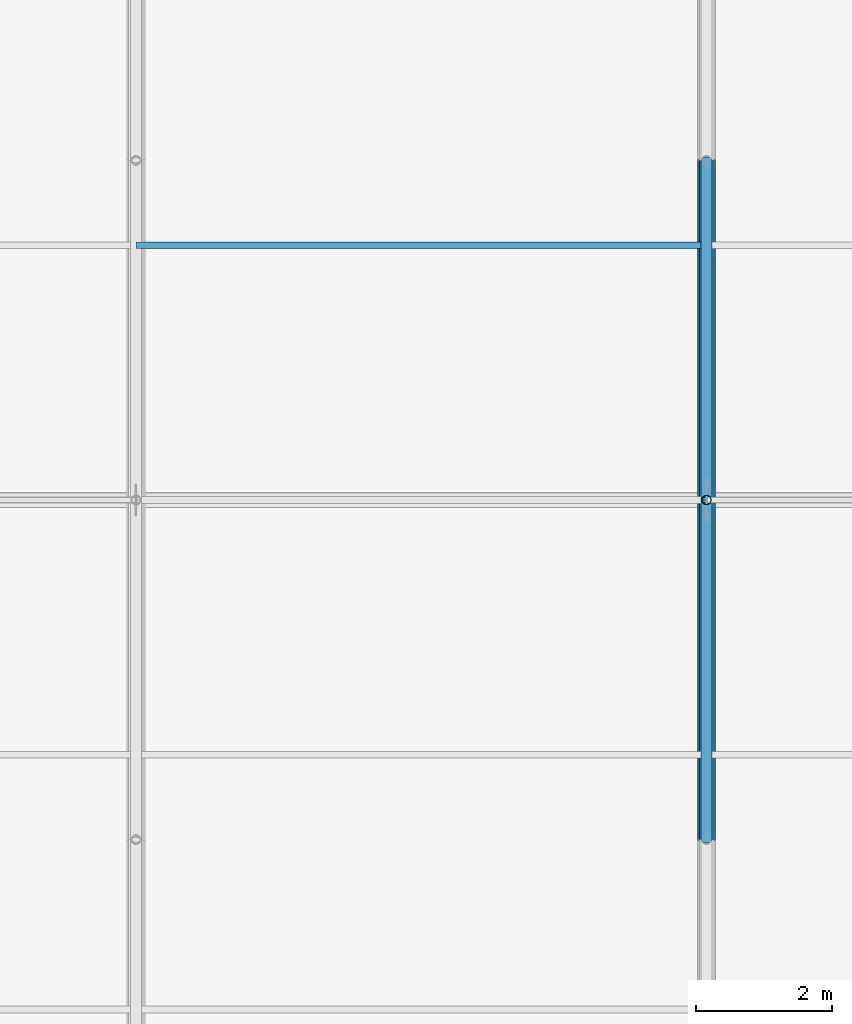
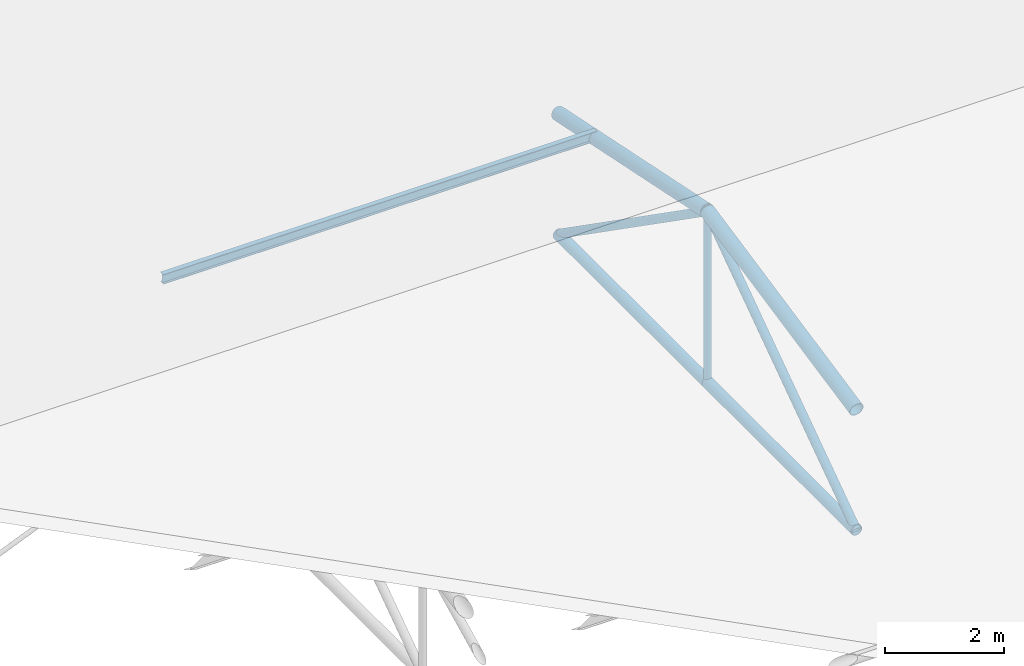
# One storey, part 15 of 194: 7 members, 1 beam.
"""IFC4 building model written with IfcOpenShell, lengths in metres."""

from ifc_helpers import new_model, si_unit, direction, frame, origin, origin_2d, place, context, subcontext, project, spatial, hollow_circle, i_section, extrude, material, material_profile, profile_set, type_object, element, save


model = new_model("IFC4")

# Units and contexts
model_context = context("Model", 3, precision=1e-05, world=origin(), true_north=direction((0.0, 1.0)))
body_context = subcontext(model_context, "Body", "Model", "MODEL_VIEW")
ifc_project = project(units=[si_unit("LENGTHUNIT", "METRE"), si_unit("AREAUNIT", "SQUARE_METRE"), si_unit("VOLUMEUNIT", "CUBIC_METRE"), si_unit("PLANEANGLEUNIT", "RADIAN"), si_unit("MASSUNIT", "GRAM", prefix="KILO")], contexts=[model_context])

# Site, building, storey
site_placement = place(None, origin())
site = spatial("IfcSite", under=ifc_project, at=site_placement, CompositionType="ELEMENT")
building_placement = place(site_placement, origin())
building = spatial("IfcBuilding", under=site, at=building_placement, Name="Kazenagashi Tramway Depot", CompositionType="ELEMENT")
storey_placement = place(building_placement, frame((0.0, 0.0, 23.7)))
storey = spatial("IfcBuildingStorey", under=building, at=storey_placement, Name="ROOF", CompositionType="ELEMENT", Elevation=23.7)

# Beam
ifc_material_1 = material(Name="Steel SN400B", Category="steel")
ifc_material_profile_1 = material_profile(ifc_material_1, i_section(OverallWidth=0.1, OverallDepth=0.2, WebThickness=0.0055, FlangeThickness=0.008, at=origin_2d()), Name="H-200x100x5.5x8")
ifc_profile_set_1 = profile_set([ifc_material_profile_1], Name="Steel SN400B")
beam_type = type_object("IfcBeamType", Name="PR-01", PredefinedType="USERDEFINED", material=ifc_profile_set_1)
beam_placement = place(storey_placement, frame((53.2, 118.75, -11.305), z_axis=(1.0, 0.0, 0.0), x_axis=(0.0, 1.0, 0.0)))
element("IfcBeam", 1, at=beam_placement, inside=storey, type_object=beam_type, Name="Beam PR-01 BM-2181", ObjectType="PURLIN", PredefinedType="USERDEFINED", context=body_context, shape_type="SweptSolid", body=[
    extrude(i_section(OverallWidth=0.1, OverallDepth=0.2, WebThickness=0.0055, FlangeThickness=0.008, at=origin_2d()), origin(), (0.0, 0.0, 1.0), 8.4),
])

# Members
ifc_material_2 = material(Name="Steel STK490", Category="steel")
ifc_material_profile_2 = material_profile(ifc_material_2, hollow_circle(Radius=0.1337, WallThickness=0.0093, at=origin_2d()), Name="CHS-267.4x9.3")
ifc_profile_set_2 = profile_set([ifc_material_profile_2], Name="Steel STK490")
member_type_1 = type_object("IfcMemberType", Name="TC-01", PredefinedType="CHORD", material=ifc_profile_set_2)
for number, where, z_axis, x_axis, name in (
    (2, (61.6, 110.0, -11.633), (0.0, 0.979317999984, 0.202327098797), (-1.0, 0.0, 0.0), "Tubular Space Frame TC-01 MEM-0160"),
    (3, (61.6, 115.0, -10.6), (0.0, 0.979317999984, -0.202327098797), (-1.0, 0.0, 0.0), "Tubular Space Frame TC-01 MEM-0163"),
):
    element("IfcMember", number, at=place(storey_placement, frame(where, z_axis=z_axis, x_axis=x_axis)), inside=storey, type_object=member_type_1, Name=name, PredefinedType="CHORD", context=body_context, shape_type="SweptSolid", body=[
        extrude(hollow_circle(Radius=0.1337, WallThickness=0.0093, at=origin_2d()), origin(), (0.0, 0.0, 1.0), 5.105594),
    ])
ifc_material_profile_3 = material_profile(ifc_material_2, hollow_circle(Radius=0.10815, WallThickness=0.0082, at=origin_2d()), Name="CHS-216.3x8.2")
ifc_profile_set_3 = profile_set([ifc_material_profile_3], Name="Steel STK490")
member_type_2 = type_object("IfcMemberType", Name="TC-02", PredefinedType="CHORD", material=ifc_profile_set_3)
for number, where, z_axis, x_axis, name in (
    (4, (61.6, 110.0, -14.1), (0.0, 1.0, 0.0), (-1.0, 0.0, 0.0), "Tubular Space Frame TC-02 MEM-0161"),
    (5, (61.6, 115.0, -14.1), (0.0, 1.0, 0.0), (-1.0, 0.0, 0.0), "Tubular Space Frame TC-02 MEM-0164"),
):
    element("IfcMember", number, at=place(storey_placement, frame(where, z_axis=z_axis, x_axis=x_axis)), inside=storey, type_object=member_type_2, Name=name, PredefinedType="CHORD", context=body_context, shape_type="SweptSolid", body=[
        extrude(hollow_circle(Radius=0.10815, WallThickness=0.0082, at=origin_2d()), origin(), (0.0, 0.0, 1.0), 5.0),
    ])
ifc_material_profile_4 = material_profile(ifc_material_2, hollow_circle(Radius=0.0826, WallThickness=0.0071, at=origin_2d()), Name="CHS-165.2x7.1")
ifc_profile_set_4 = profile_set([ifc_material_profile_4], Name="Steel STK490")
member_type_3 = type_object("IfcMemberType", Name="TS-01", PredefinedType="STRUT", material=ifc_profile_set_4)
for number, where, z_axis, x_axis, name in (
    (6, (61.6, 110.0, -14.1), (0.0, 0.819231920519, 0.573462344363), (-1.0, 0.0, 0.0), "Tubular Space Frame TS-01 MEM-0162"),
    (7, (61.6, 115.0, -10.6), (0.0, 0.819231920519, -0.573462344363), (-1.0, 0.0, 0.0), "Tubular Space Frame TS-01 MEM-0165"),
):
    element("IfcMember", number, at=place(storey_placement, frame(where, z_axis=z_axis, x_axis=x_axis)), inside=storey, type_object=member_type_3, Name=name, PredefinedType="STRUT", context=body_context, shape_type="SweptSolid", body=[
        extrude(hollow_circle(Radius=0.0826, WallThickness=0.0071, at=origin_2d()), origin(), (0.0, 0.0, 1.0), 6.103278),
    ])
ifc_material_profile_5 = material_profile(ifc_material_2, hollow_circle(Radius=0.0699, WallThickness=0.0066, at=origin_2d()), Name="CHS-139.8x6.6")
ifc_profile_set_5 = profile_set([ifc_material_profile_5], Name="Steel STK490")
member_type_4 = type_object("IfcMemberType", Name="TS-02", PredefinedType="STRUT", material=ifc_profile_set_5)
member_placement = place(storey_placement, frame((61.6, 115.0, -14.1), z_axis=(0.0, 0.0, 1.0), x_axis=(1.0, 0.0, 0.0)))
element("IfcMember", 8, at=member_placement, inside=storey, type_object=member_type_4, Name="Tubular Space Frame TS-02 MEM-0174", PredefinedType="STRUT", context=body_context, shape_type="SweptSolid", body=[
    extrude(hollow_circle(Radius=0.0699, WallThickness=0.0066, at=origin_2d()), origin(), (0.0, 0.0, 1.0), 3.5),
])

save(model, "model.ifc")
